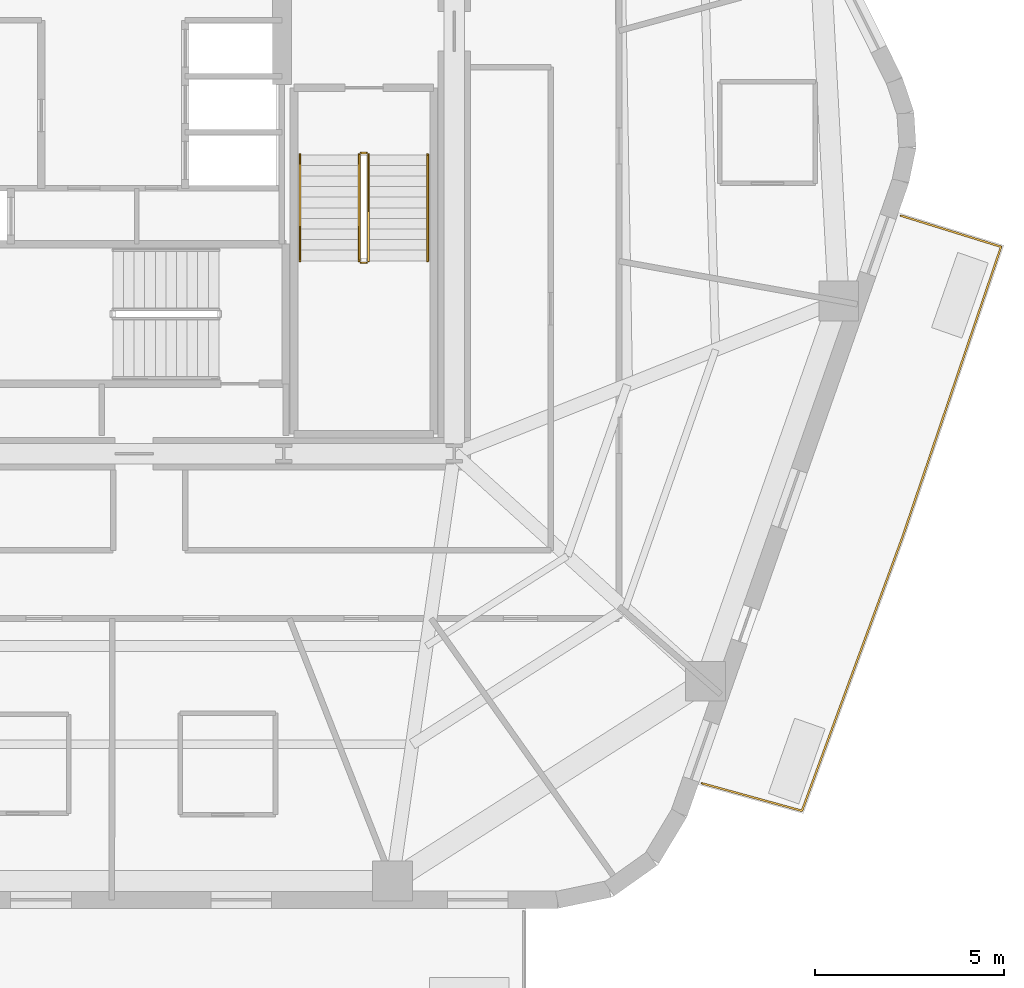
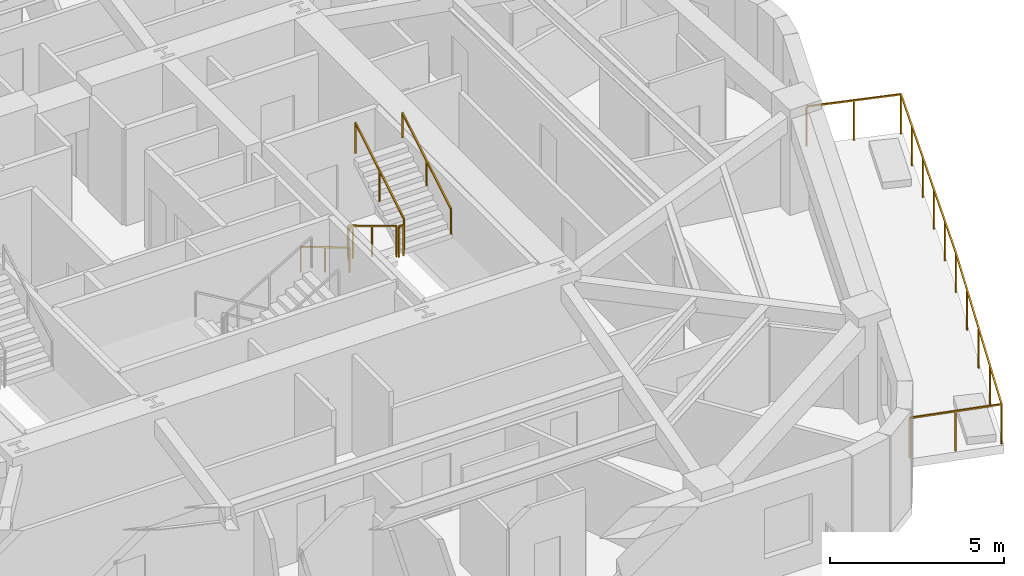
# One storey, part 10 of 11: 7 railings.
"""IFC4 building model written with IfcOpenShell, lengths in metres."""

from ifc_helpers import new_model, si_unit, direction, frame, origin, origin_2d, place, context, subcontext, project, spatial, rectangle, extrude, material, layer, layer_set, type_object, element, save


model = new_model("IFC4")

# Units and contexts
model_context = context("Model", 3, precision=1e-05, world=origin(), true_north=direction((0.0, 1.0)))
body_context = subcontext(model_context, "Body", "Model", "MODEL_VIEW")
ifc_project = project(units=[si_unit("LENGTHUNIT", "METRE"), si_unit("AREAUNIT", "SQUARE_METRE"), si_unit("VOLUMEUNIT", "CUBIC_METRE"), si_unit("PLANEANGLEUNIT", "RADIAN"), si_unit("MASSUNIT", "GRAM", prefix="KILO")], contexts=[model_context])

# Site, building, storey
site_placement = place(None, origin())
site = spatial("IfcSite", under=ifc_project, at=site_placement, CompositionType="ELEMENT")
building_placement = place(site_placement, origin())
building = spatial("IfcBuilding", under=site, at=building_placement, Name="Kilnhurst Terrace Hotel", CompositionType="ELEMENT")
storey_placement = place(building_placement, frame((0.0, 0.0, 166.5)))
storey = spatial("IfcBuildingStorey", under=building, at=storey_placement, Name="L41", CompositionType="ELEMENT", Elevation=166.5)

# Railings
ifc_material_1 = material(Name="Laminated SentryGlas and Stainless Steel AISI 316L Balustrade", Category="steel")
ifc_layer_1 = layer(ifc_material_1, 0.070068359375, Name="Laminated SentryGlas and Stainless Steel AISI 316L Balustrade")
ifc_layer_set_1 = layer_set([ifc_layer_1], Name="Laminated SentryGlas and Stainless Steel AISI 316L Balustrade")
railing_type_1 = type_object("IfcRailingType", Name="RLG-BAL-1420", PredefinedType="BALUSTRADE", material=ifc_layer_set_1)
railing_1_placement = place(storey_placement, frame((20.783935546875, -1.215087890625, 0.0)))
element("IfcRailing", 1, at=railing_1_placement, inside=storey, type_object=railing_type_1, Name="L41 Exterior Terrace Guardrail BAL-L1B.1", PredefinedType="BALUSTRADE", context=body_context, shape_type="SweptSolid", body=[
    extrude(rectangle(XDim=0.048095703125, YDim=0.048095703125, at=origin_2d()), frame((0.0, 0.0, 1.39599609375), z_axis=(0.954948187333, -0.29677257203, 0.0), x_axis=(0.29677257203, 0.954948187333, 0.0)), (0.0, 0.0, 1.0), 2.7763671875),
    extrude(rectangle(XDim=0.048095703125, YDim=0.048095703125, at=origin_2d()), frame((2.6513671875, -0.823974609375, 1.39599609375), z_axis=(-0.321641701575, -0.946861455445, 0.0), x_axis=(0.946861455445, -0.321641701575, 0.0)), (0.0, 0.0, 1.0), 8.082275390625),
    extrude(rectangle(XDim=0.048095703125, YDim=0.048095703125, at=origin_2d()), frame((0.0517578125, -8.476806640625, 1.39599609375), z_axis=(-0.344704120874, -0.938711387516, 0.0), x_axis=(0.938711387516, -0.344704120874, 0.0)), (0.0, 0.0, 1.0), 7.7080078125),
    extrude(rectangle(XDim=0.048095703125, YDim=0.048095703125, at=origin_2d()), frame((-2.605224609375, -15.71240234375, 1.39599609375), z_axis=(-0.964239560757, 0.265032204593, 0.0), x_axis=(-0.265032204593, -0.964239560757, 0.0)), (0.0, 0.0, 1.0), 2.739501953125),
    extrude(rectangle(XDim=0.0419921875, YDim=0.0419921875, at=origin_2d()), origin(), (0.0, 0.0, 1.0), 1.371826171875),
    extrude(rectangle(XDim=0.0419921875, YDim=0.0419921875, at=origin_2d()), frame((1.32568359375, -0.412109375, 0.0)), (0.0, 0.0, 1.0), 1.371826171875),
    extrude(rectangle(XDim=0.0419921875, YDim=0.0419921875, at=origin_2d()), frame((2.6513671875, -0.823974609375, 0.0)), (0.0, 0.0, 1.0), 1.371826171875),
    extrude(rectangle(XDim=0.0419921875, YDim=0.0419921875, at=origin_2d()), frame((2.13134765625, -2.3544921875, 0.0)), (0.0, 0.0, 1.0), 1.371826171875),
    extrude(rectangle(XDim=0.0419921875, YDim=0.0419921875, at=origin_2d()), frame((1.611572265625, -3.885009765625, 0.0)), (0.0, 0.0, 1.0), 1.371826171875),
    extrude(rectangle(XDim=0.0419921875, YDim=0.0419921875, at=origin_2d()), frame((1.091552734375, -5.415771484375, 0.0)), (0.0, 0.0, 1.0), 1.371826171875),
    extrude(rectangle(XDim=0.0419921875, YDim=0.0419921875, at=origin_2d()), frame((0.57177734375, -6.9462890625, 0.0)), (0.0, 0.0, 1.0), 1.371826171875),
    extrude(rectangle(XDim=0.0419921875, YDim=0.0419921875, at=origin_2d()), frame((0.0517578125, -8.476806640625, 0.0)), (0.0, 0.0, 1.0), 1.371826171875),
    extrude(rectangle(XDim=0.0419921875, YDim=0.0419921875, at=origin_2d()), frame((-0.612548828125, -10.28564453125, 0.0)), (0.0, 0.0, 1.0), 1.371826171875),
    extrude(rectangle(XDim=0.0419921875, YDim=0.0419921875, at=origin_2d()), frame((-1.27685546875, -12.0947265625, 0.0)), (0.0, 0.0, 1.0), 1.371826171875),
    extrude(rectangle(XDim=0.0419921875, YDim=0.0419921875, at=origin_2d()), frame((-1.94091796875, -13.903564453125, 0.0)), (0.0, 0.0, 1.0), 1.371826171875),
    extrude(rectangle(XDim=0.0419921875, YDim=0.0419921875, at=origin_2d()), frame((-2.605224609375, -15.71240234375, 0.0)), (0.0, 0.0, 1.0), 1.371826171875),
    extrude(rectangle(XDim=0.0419921875, YDim=0.0419921875, at=origin_2d()), frame((-3.926025390625, -15.349365234375, 0.0)), (0.0, 0.0, 1.0), 1.371826171875),
    extrude(rectangle(XDim=0.0419921875, YDim=0.0419921875, at=origin_2d()), frame((-5.246826171875, -14.986328125, 0.0)), (0.0, 0.0, 1.0), 1.371826171875),
])
ifc_material_2 = material(Name="Powder-Coated Steel ASTM A500 Grade B", Category="steel")
ifc_layer_2 = layer(ifc_material_2, 0.050048828125, Name="Powder-Coated Steel ASTM A500 Grade B")
ifc_layer_set_2 = layer_set([ifc_layer_2], Name="Powder-Coated Steel ASTM A500 Grade B")
railing_type_2 = type_object("IfcRailingType", Name="RLG-ST-GRD-1100", PredefinedType="GUARDRAIL", material=ifc_layer_set_2)
railing_2_placement = place(storey_placement, frame((6.489990234375, 0.389892578125, 0.168212890625)))
element("IfcRailing", 2, at=railing_2_placement, inside=storey, type_object=railing_type_2, Name="L41 ST-2 stair guard 1", PredefinedType="GUARDRAIL", context=body_context, shape_type="SweptSolid", body=[
    extrude(rectangle(XDim=0.048095703125, YDim=0.048095703125, at=origin_2d()), frame((0.0, 0.0, 1.076171875), z_axis=(0.0, -0.857222391501, 0.514946377315), x_axis=(1.0, 0.0, 0.0)), (0.0, 0.0, 1.0), 3.26611328125),
    extrude(rectangle(XDim=0.0419921875, YDim=0.0419921875, at=origin_2d()), origin(), (0.0, 0.0, 1.0), 1.052001953125),
    extrude(rectangle(XDim=0.0419921875, YDim=0.0419921875, at=origin_2d()), frame((0.0, -1.39990234375, 0.8408203125)), (0.0, 0.0, 1.0), 1.052001953125),
    extrude(rectangle(XDim=0.0419921875, YDim=0.0419921875, at=origin_2d()), frame((0.0, -2.7998046875, 1.681884765625)), (0.0, 0.0, 1.0), 1.052001953125),
])
railing_3_placement = place(storey_placement, frame((6.5400390625, -2.4599609375, 1.85009765625)))
element("IfcRailing", 3, at=railing_3_placement, inside=storey, type_object=railing_type_2, Name="L41 ST-2 stair guard 2", PredefinedType="GUARDRAIL", context=body_context, shape_type="SweptSolid", body=[
    extrude(rectangle(XDim=0.048095703125, YDim=0.048095703125, at=origin_2d()), frame((0.0, 0.0, 1.076171875), z_axis=(1.0, 0.0, 0.0), x_axis=(0.0, 1.0, 0.0)), (0.0, 0.0, 1.0), 0.14990234375),
    extrude(rectangle(XDim=0.0419921875, YDim=0.0419921875, at=origin_2d()), origin(), (0.0, 0.0, 1.0), 1.052001953125),
    extrude(rectangle(XDim=0.0419921875, YDim=0.0419921875, at=origin_2d()), frame((0.14990234375, 0.0, 0.0)), (0.0, 0.0, 1.0), 1.052001953125),
])
railing_4_placement = place(storey_placement, frame((6.739990234375, -2.409912109375, 2.01806640625)))
element("IfcRailing", 4, at=railing_4_placement, inside=storey, type_object=railing_type_2, Name="L41 ST-2 stair guard 3", PredefinedType="GUARDRAIL", context=body_context, shape_type="SweptSolid", body=[
    extrude(rectangle(XDim=0.048095703125, YDim=0.048095703125, at=origin_2d()), frame((0.0, 0.0, 1.076171875), z_axis=(0.0, 0.857222391501, 0.514946377315), x_axis=(-1.0, 0.0, 0.0)), (0.0, 0.0, 1.0), 3.26611328125),
    extrude(rectangle(XDim=0.0419921875, YDim=0.0419921875, at=origin_2d()), origin(), (0.0, 0.0, 1.0), 1.052001953125),
    extrude(rectangle(XDim=0.0419921875, YDim=0.0419921875, at=origin_2d()), frame((0.0, 1.39990234375, 0.8408203125)), (0.0, 0.0, 1.0), 1.052001953125),
    extrude(rectangle(XDim=0.0419921875, YDim=0.0419921875, at=origin_2d()), frame((0.0, 2.7998046875, 1.681884765625)), (0.0, 0.0, 1.0), 1.052001953125),
])
railing_5_placement = place(storey_placement, frame((6.5400390625, 0.43994140625, 0.0)))
element("IfcRailing", 5, at=railing_5_placement, inside=storey, type_object=railing_type_2, Name="L41 ST-2 stair guard 4", PredefinedType="GUARDRAIL", context=body_context, shape_type="SweptSolid", body=[
    extrude(rectangle(XDim=0.048095703125, YDim=0.048095703125, at=origin_2d()), frame((0.0, 0.0, 1.076171875), z_axis=(1.0, 0.0, 0.0), x_axis=(0.0, 1.0, 0.0)), (0.0, 0.0, 1.0), 0.14990234375),
    extrude(rectangle(XDim=0.0419921875, YDim=0.0419921875, at=origin_2d()), origin(), (0.0, 0.0, 1.0), 1.052001953125),
    extrude(rectangle(XDim=0.0419921875, YDim=0.0419921875, at=origin_2d()), frame((0.14990234375, 0.0, 0.0)), (0.0, 0.0, 1.0), 1.052001953125),
])
ifc_material_3 = material(Name="Brushed Stainless Steel AISI 304", Category="steel")
ifc_layer_3 = layer(ifc_material_3, 0.048095703125, Name="Brushed Stainless Steel AISI 304")
ifc_layer_set_3 = layer_set([ifc_layer_3], Name="Brushed Stainless Steel AISI 304")
railing_type_3 = type_object("IfcRailingType", Name="RLG-ST-HRL-900", PredefinedType="HANDRAIL", material=ifc_layer_set_3)
railing_6_placement = place(storey_placement, frame((4.929931640625, 0.389892578125, 0.168212890625)))
element("IfcRailing", 6, at=railing_6_placement, inside=storey, type_object=railing_type_3, Name="L41 ST-2 stair handrail 1", PredefinedType="HANDRAIL", context=body_context, shape_type="SweptSolid", body=[
    extrude(rectangle(XDim=0.048095703125, YDim=0.048095703125, at=origin_2d()), frame((0.0, 0.0, 0.8759765625), z_axis=(0.0, -0.857222391501, 0.514946377315), x_axis=(1.0, 0.0, 0.0)), (0.0, 0.0, 1.0), 3.26611328125),
    extrude(rectangle(XDim=0.0419921875, YDim=0.0419921875, at=origin_2d()), origin(), (0.0, 0.0, 1.0), 0.851806640625),
    extrude(rectangle(XDim=0.0419921875, YDim=0.0419921875, at=origin_2d()), frame((0.0, -1.39990234375, 0.8408203125)), (0.0, 0.0, 1.0), 0.851806640625),
    extrude(rectangle(XDim=0.0419921875, YDim=0.0419921875, at=origin_2d()), frame((0.0, -2.7998046875, 1.681884765625)), (0.0, 0.0, 1.0), 0.851806640625),
])
railing_7_placement = place(storey_placement, frame((8.300048828125, -2.409912109375, 2.01806640625)))
element("IfcRailing", 7, at=railing_7_placement, inside=storey, type_object=railing_type_3, Name="L41 ST-2 stair handrail 2", PredefinedType="HANDRAIL", context=body_context, shape_type="SweptSolid", body=[
    extrude(rectangle(XDim=0.048095703125, YDim=0.048095703125, at=origin_2d()), frame((0.0, 0.0, 0.8759765625), z_axis=(0.0, 0.857222391501, 0.514946377315), x_axis=(-1.0, 0.0, 0.0)), (0.0, 0.0, 1.0), 3.26611328125),
    extrude(rectangle(XDim=0.0419921875, YDim=0.0419921875, at=origin_2d()), origin(), (0.0, 0.0, 1.0), 0.851806640625),
    extrude(rectangle(XDim=0.0419921875, YDim=0.0419921875, at=origin_2d()), frame((0.0, 1.39990234375, 0.8408203125)), (0.0, 0.0, 1.0), 0.851806640625),
    extrude(rectangle(XDim=0.0419921875, YDim=0.0419921875, at=origin_2d()), frame((0.0, 2.7998046875, 1.681884765625)), (0.0, 0.0, 1.0), 0.851806640625),
])

save(model, "model.ifc")
